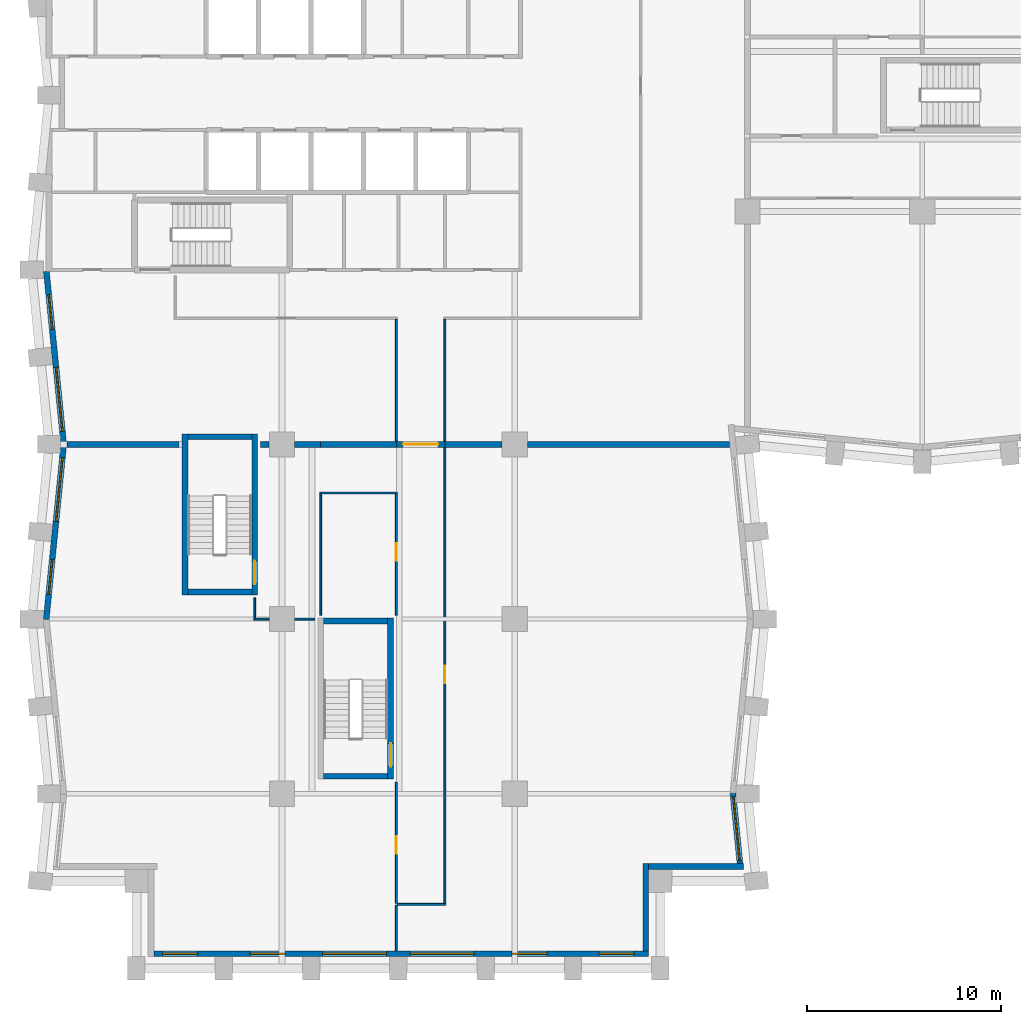
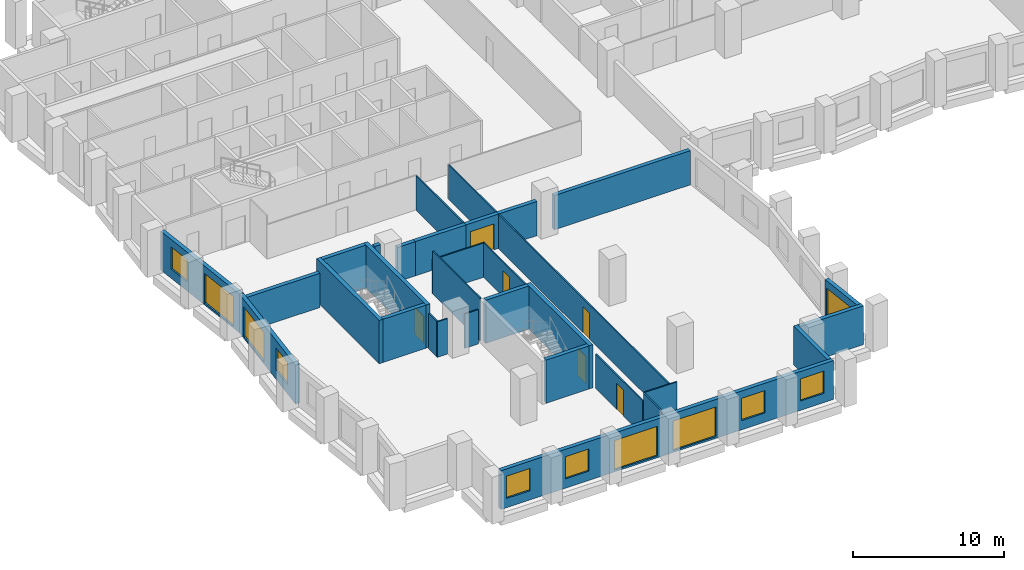
# One storey, part 3 of 11: 32 walls, 11 windows, 6 doors, 17 openings.
"""IFC4 building model written with IfcOpenShell, lengths in metres."""

from ifc_helpers import new_model, si_unit, direction, frame, frame_2d, origin, place, context, subcontext, project, spatial, rectangle, extrude, material, layer, layer_set, type_object, element, fill, save


model = new_model("IFC4")

# Units and contexts
model_context = context("Model", 3, precision=1e-05, world=origin(), true_north=direction((0.0, 1.0)))
body_context = subcontext(model_context, "Body", "Model", "MODEL_VIEW")
ifc_project = project(units=[si_unit("LENGTHUNIT", "METRE"), si_unit("AREAUNIT", "SQUARE_METRE"), si_unit("VOLUMEUNIT", "CUBIC_METRE"), si_unit("PLANEANGLEUNIT", "RADIAN"), si_unit("MASSUNIT", "GRAM", prefix="KILO")], contexts=[model_context])

# Site, building, storey
site_placement = place(None, origin())
site = spatial("IfcSite", under=ifc_project, at=site_placement, CompositionType="ELEMENT")
building_placement = place(site_placement, origin())
building = spatial("IfcBuilding", under=site, at=building_placement, Name="Brondeck Convention Tower", CompositionType="ELEMENT")
storey_placement = place(building_placement, frame((0.0, 0.0, 118.89990234375)))
storey = spatial("IfcBuildingStorey", under=building, at=storey_placement, Name="L28", CompositionType="ELEMENT", Elevation=118.89990234375)

# Walls
ifc_material_1 = material(Name="Concrete compartment wall C30/37", Category="concrete")
ifc_layer_1 = layer(ifc_material_1, 0.300048828125)
ifc_layer_set_1 = layer_set([ifc_layer_1], Name="Compartment wall 300")
wall_type_1 = type_object("IfcWallType", Name="Compartment wall 300", PredefinedType="PARTITIONING", material=ifc_layer_set_1)
wall_1_placement = place(storey_placement, frame((0.924560546875, 27.0, 0.0), z_axis=(0.0, 0.0, 1.0), x_axis=(1.0, 0.0, 0.0)))
element("IfcWall", 1, at=wall_1_placement, inside=storey, type_object=wall_type_1, Name="FLR-L28-W011", PredefinedType="PARTITIONING", context=body_context, shape_type="SweptSolid", body=[
    extrude(rectangle(XDim=5.775390625, YDim=0.300048828125, at=frame_2d((2.8876953125, 0.0))), origin(), (0.0, 0.0, 1.0), 2.780029296875),
])
wall_2_placement = place(storey_placement, frame((10.89990234375, 27.0, 0.0), z_axis=(0.0, 0.0, 1.0), x_axis=(1.0, 0.0, 0.0)))
element("IfcWall", 2, at=wall_2_placement, inside=storey, type_object=wall_type_1, Name="FLR-L28-W012", PredefinedType="PARTITIONING", context=body_context, shape_type="SweptSolid", body=[
    extrude(rectangle(XDim=0.445068359375, YDim=0.300048828125, at=frame_2d((0.22265625, 0.0))), origin(), (0.0, 0.0, 1.0), 3.47998046875),
])
wall_3_placement = place(storey_placement, frame((12.655029296875, 27.0, 0.0), z_axis=(0.0, 0.0, 1.0), x_axis=(1.0, 0.0, 0.0)))
element("IfcWall", 3, at=wall_3_placement, inside=storey, type_object=wall_type_1, Name="FLR-L28-W013", PredefinedType="PARTITIONING", context=body_context, shape_type="SweptSolid", body=[
    extrude(rectangle(XDim=1.344970703125, YDim=0.300048828125, at=frame_2d((0.67236328125, 0.0))), origin(), (0.0, 0.0, 1.0), 2.780029296875),
])
wall_4_placement = place(storey_placement, frame((14.0, 27.0, 0.0), z_axis=(0.0, 0.0, 1.0), x_axis=(1.0, 0.0, 0.0)))
element("IfcWall", 4, at=wall_4_placement, inside=storey, type_object=wall_type_1, Name="FLR-L28-W014", PredefinedType="PARTITIONING", context=body_context, shape_type="SweptSolid", body=[
    extrude(rectangle(XDim=3.89990234375, YDim=0.300048828125, at=frame_2d((1.949951171875, 0.0))), origin(), (0.0, 0.0, 1.0), 2.780029296875),
])

# Wall, opening, door
wall_5_placement = place(storey_placement, frame((20.39990234375, 27.0, 0.0), z_axis=(0.0, 0.0, 1.0), x_axis=(-1.0, 0.0, 0.0)))
wall_5 = element("IfcWall", 5, at=wall_5_placement, inside=storey, type_object=wall_type_1, Name="FLR-L28-W015", PredefinedType="PARTITIONING", context=body_context, shape_type="SweptSolid", body=[
    extrude(rectangle(XDim=2.5, YDim=0.300048828125, at=frame_2d((1.25, 0.0))), origin(), (0.0, 0.0, 1.0), 2.780029296875),
])
opening_1_placement = place(wall_5_placement, frame((0.35009765625, 0.0, 0.0)))
opening_1 = element("IfcOpeningElement", 6, at=opening_1_placement, cuts=wall_5, Name="Opening OF-C-020", PredefinedType="OPENING", context=body_context, shape_type="SweptSolid", body=[
    extrude(rectangle(XDim=1.800048828125, YDim=2.10009765625, at=frame_2d((0.89990234375, 1.050048828125))), frame((0.0, 0.159912109375, 0.0), z_axis=(0.0, -1.0, 0.0), x_axis=(1.0, 0.0, 0.0)), (0.0, 0.0, 1.0), 0.320068359375),
])
ifc_material_2 = material(Name="Steel fire door pair", Category="steel")
door_type_1 = type_object("IfcDoorType", Name="Fire door pair 1800", OperationType="DOUBLE_DOOR_SINGLE_SWING", PredefinedType="DOOR", material=ifc_material_2)
door_1_placement = place(opening_1_placement, origin())
door_1 = element("IfcDoor", 7, at=door_1_placement, inside=storey, type_object=door_type_1, Name="Door OF-C-020", OperationType="DOUBLE_DOOR_SINGLE_SWING", OverallHeight=2.10009765625, OverallWidth=1.800048828125, PredefinedType="DOOR", context=body_context, shape_type="SweptSolid", body=[
    extrude(rectangle(XDim=1.800048828125, YDim=2.10009765625, at=frame_2d((0.89990234375, 1.050048828125))), frame((0.0, 0.02490234375, 0.0), z_axis=(0.0, -1.0, 0.0), x_axis=(1.0, 0.0, 0.0)), (0.0, 0.0, 1.0), 0.050048828125),
])
fill(opening_1, door_1)

# Walls
wall_6_placement = place(storey_placement, frame((20.39990234375, 27.0, 0.0), z_axis=(0.0, 0.0, 1.0), x_axis=(1.0, 0.0, 0.0)))
element("IfcWall", 8, at=wall_6_placement, inside=storey, type_object=wall_type_1, Name="FLR-L28-W016", PredefinedType="PARTITIONING", context=body_context, shape_type="SweptSolid", body=[
    extrude(rectangle(XDim=2.945068359375, YDim=0.300048828125, at=frame_2d((1.47265625, 0.0))), origin(), (0.0, 0.0, 1.0), 2.780029296875),
])
wall_7_placement = place(storey_placement, frame((24.655029296875, 27.0, 0.0), z_axis=(0.0, 0.0, 1.0), x_axis=(1.0, 0.0, 0.0)))
element("IfcWall", 9, at=wall_7_placement, inside=storey, type_object=wall_type_1, Name="FLR-L28-W017", PredefinedType="PARTITIONING", context=body_context, shape_type="SweptSolid", body=[
    extrude(rectangle(XDim=10.42041015625, YDim=0.300048828125, at=frame_2d((5.210205078125, 0.0))), origin(), (0.0, 0.0, 1.0), 2.780029296875),
])

# Wall, openings, windows
ifc_material_3 = material(Name="Precast concrete C50/60 bronze finish", Category="concrete")
ifc_layer_2 = layer(ifc_material_3, 0.070068359375, Name="Bronze precast facing")
ifc_material_4 = material(Name="Mineral wool")
ifc_layer_3 = layer(ifc_material_4, 0.159912109375, Name="Insulation")
ifc_material_5 = material(Name="Concrete C35/45", Category="concrete")
ifc_layer_4 = layer(ifc_material_5, 0.070068359375, Name="Backing")
ifc_layer_set_2 = layer_set([ifc_layer_2, ifc_layer_3, ifc_layer_4], Name="External infill wall, precast concrete C50/60 bronze facing")
wall_type_2 = type_object("IfcWallType", Name="External infill wall, precast concrete C50/60 bronze facing", PredefinedType="SOLIDWALL", material=ifc_layer_set_2)
wall_8_placement = place(storey_placement, frame((30.89990234375, 0.75, 0.0), z_axis=(0.0, 0.0, 1.0), x_axis=(-1.0, 0.0, 0.0)))
wall_8 = element("IfcWall", 10, at=wall_8_placement, inside=storey, type_object=wall_type_2, Name="ENV-EW-L28-P0-B-S0-01", PredefinedType="SOLIDWALL", context=body_context, shape_type="SweptSolid", body=[
    extrude(rectangle(XDim=25.5, YDim=0.300048828125, at=frame_2d((12.75, 0.0))), origin(), (0.0, 0.0, 1.0), 3.150146484375),
])
opening_2_placement = place(wall_8_placement, frame((0.75, 0.0, 0.75)))
opening_2 = element("IfcOpeningElement", 11, at=opening_2_placement, cuts=wall_8, Name="Opening W10", PredefinedType="OPENING", context=body_context, shape_type="SweptSolid", body=[
    extrude(rectangle(XDim=1.800048828125, YDim=1.800048828125, at=frame_2d((0.89990234375, 0.89990234375))), frame((0.0, 0.159912109375, 0.0), z_axis=(0.0, -1.0, 0.0), x_axis=(1.0, 0.0, 0.0)), (0.0, 0.0, 1.0), 0.320068359375),
])
opening_3_placement = place(wall_8_placement, frame((5.25, 0.0, 0.75)))
opening_3 = element("IfcOpeningElement", 12, at=opening_3_placement, cuts=wall_8, Name="Opening W10", PredefinedType="OPENING", context=body_context, shape_type="SweptSolid", body=[
    extrude(rectangle(XDim=1.800048828125, YDim=1.800048828125, at=frame_2d((0.89990234375, 0.89990234375))), frame((0.0, 0.159912109375, 0.0), z_axis=(0.0, -1.0, 0.0), x_axis=(1.0, 0.0, 0.0)), (0.0, 0.0, 1.0), 0.320068359375),
])
opening_4_placement = place(wall_8_placement, frame((9.0, 0.0, 0.14990234375)))
opening_4 = element("IfcOpeningElement", 13, at=opening_4_placement, cuts=wall_8, Name="Opening W9", PredefinedType="OPENING", context=body_context, shape_type="SweptSolid", body=[
    extrude(rectangle(XDim=3.300048828125, YDim=2.39990234375, at=frame_2d((1.64990234375, 1.199951171875))), frame((0.0, 0.159912109375, 0.0), z_axis=(0.0, -1.0, 0.0), x_axis=(1.0, 0.0, 0.0)), (0.0, 0.0, 1.0), 0.320068359375),
])
opening_5_placement = place(wall_8_placement, frame((13.5, 0.0, 0.14990234375)))
opening_5 = element("IfcOpeningElement", 14, at=opening_5_placement, cuts=wall_8, Name="Opening W9", PredefinedType="OPENING", context=body_context, shape_type="SweptSolid", body=[
    extrude(rectangle(XDim=3.300048828125, YDim=2.39990234375, at=frame_2d((1.64990234375, 1.199951171875))), frame((0.0, 0.159912109375, 0.0), z_axis=(0.0, -1.0, 0.0), x_axis=(1.0, 0.0, 0.0)), (0.0, 0.0, 1.0), 0.320068359375),
])
opening_6_placement = place(wall_8_placement, frame((18.75, 0.0, 0.75)))
opening_6 = element("IfcOpeningElement", 15, at=opening_6_placement, cuts=wall_8, Name="Opening W10", PredefinedType="OPENING", context=body_context, shape_type="SweptSolid", body=[
    extrude(rectangle(XDim=1.800048828125, YDim=1.800048828125, at=frame_2d((0.89990234375, 0.89990234375))), frame((0.0, 0.159912109375, 0.0), z_axis=(0.0, -1.0, 0.0), x_axis=(1.0, 0.0, 0.0)), (0.0, 0.0, 1.0), 0.320068359375),
])
opening_7_placement = place(wall_8_placement, frame((23.25, 0.0, 0.75)))
opening_7 = element("IfcOpeningElement", 16, at=opening_7_placement, cuts=wall_8, Name="Opening W10", PredefinedType="OPENING", context=body_context, shape_type="SweptSolid", body=[
    extrude(rectangle(XDim=1.800048828125, YDim=1.800048828125, at=frame_2d((0.89990234375, 0.89990234375))), frame((0.0, 0.159912109375, 0.0), z_axis=(0.0, -1.0, 0.0), x_axis=(1.0, 0.0, 0.0)), (0.0, 0.0, 1.0), 0.320068359375),
])
ifc_material_6 = material(Name="Bronze tinted double glazing", Category="glass")
window_type_1 = type_object("IfcWindowType", Name="Glazed flute window, bronze tinted", PartitioningType="SINGLE_PANEL", PredefinedType="WINDOW", material=ifc_material_6)
window_1_placement = place(opening_4_placement, origin())
window_1 = element("IfcWindow", 17, at=window_1_placement, inside=storey, type_object=window_type_1, Name="ENV-WN-L28-P0-B-S0-04", OverallHeight=2.39990234375, OverallWidth=3.300048828125, PartitioningType="SINGLE_PANEL", PredefinedType="WINDOW", context=body_context, shape_type="SweptSolid", body=[
    extrude(rectangle(XDim=3.300048828125, YDim=2.39990234375, at=frame_2d((1.64990234375, 1.199951171875))), frame((0.0, 0.030029296875, 0.0), z_axis=(0.0, -1.0, 0.0), x_axis=(1.0, 0.0, 0.0)), (0.0, 0.0, 1.0), 0.06005859375),
])
fill(opening_4, window_1)
window_2_placement = place(opening_5_placement, origin())
window_2 = element("IfcWindow", 18, at=window_2_placement, inside=storey, type_object=window_type_1, Name="ENV-WN-L28-P0-B-S0-03", OverallHeight=2.39990234375, OverallWidth=3.300048828125, PartitioningType="SINGLE_PANEL", PredefinedType="WINDOW", context=body_context, shape_type="SweptSolid", body=[
    extrude(rectangle(XDim=3.300048828125, YDim=2.39990234375, at=frame_2d((1.64990234375, 1.199951171875))), frame((0.0, 0.030029296875, 0.0), z_axis=(0.0, -1.0, 0.0), x_axis=(1.0, 0.0, 0.0)), (0.0, 0.0, 1.0), 0.06005859375),
])
fill(opening_5, window_2)
window_type_2 = type_object("IfcWindowType", Name="Punched window, bronze tinted", PartitioningType="SINGLE_PANEL", PredefinedType="WINDOW", material=ifc_material_6)
window_3_placement = place(opening_2_placement, origin())
window_3 = element("IfcWindow", 19, at=window_3_placement, inside=storey, type_object=window_type_2, Name="ENV-WN-L28-P0-B-S0-06", OverallHeight=1.800048828125, OverallWidth=1.800048828125, PartitioningType="SINGLE_PANEL", PredefinedType="WINDOW", context=body_context, shape_type="SweptSolid", body=[
    extrude(rectangle(XDim=1.800048828125, YDim=1.800048828125, at=frame_2d((0.89990234375, 0.89990234375))), frame((0.0, 0.030029296875, 0.0), z_axis=(0.0, -1.0, 0.0), x_axis=(1.0, 0.0, 0.0)), (0.0, 0.0, 1.0), 0.06005859375),
])
fill(opening_2, window_3)
window_4_placement = place(opening_3_placement, origin())
window_4 = element("IfcWindow", 20, at=window_4_placement, inside=storey, type_object=window_type_2, Name="ENV-WN-L28-P0-B-S0-05", OverallHeight=1.800048828125, OverallWidth=1.800048828125, PartitioningType="SINGLE_PANEL", PredefinedType="WINDOW", context=body_context, shape_type="SweptSolid", body=[
    extrude(rectangle(XDim=1.800048828125, YDim=1.800048828125, at=frame_2d((0.89990234375, 0.89990234375))), frame((0.0, 0.030029296875, 0.0), z_axis=(0.0, -1.0, 0.0), x_axis=(1.0, 0.0, 0.0)), (0.0, 0.0, 1.0), 0.06005859375),
])
fill(opening_3, window_4)
window_5_placement = place(opening_6_placement, origin())
window_5 = element("IfcWindow", 21, at=window_5_placement, inside=storey, type_object=window_type_2, Name="ENV-WN-L28-P0-B-S0-02", OverallHeight=1.800048828125, OverallWidth=1.800048828125, PartitioningType="SINGLE_PANEL", PredefinedType="WINDOW", context=body_context, shape_type="SweptSolid", body=[
    extrude(rectangle(XDim=1.800048828125, YDim=1.800048828125, at=frame_2d((0.89990234375, 0.89990234375))), frame((0.0, 0.030029296875, 0.0), z_axis=(0.0, -1.0, 0.0), x_axis=(1.0, 0.0, 0.0)), (0.0, 0.0, 1.0), 0.06005859375),
])
fill(opening_6, window_5)
window_6_placement = place(opening_7_placement, origin())
window_6 = element("IfcWindow", 22, at=window_6_placement, inside=storey, type_object=window_type_2, Name="ENV-WN-L28-P0-B-S0-01", OverallHeight=1.800048828125, OverallWidth=1.800048828125, PartitioningType="SINGLE_PANEL", PredefinedType="WINDOW", context=body_context, shape_type="SweptSolid", body=[
    extrude(rectangle(XDim=1.800048828125, YDim=1.800048828125, at=frame_2d((0.89990234375, 0.89990234375))), frame((0.0, 0.030029296875, 0.0), z_axis=(0.0, -1.0, 0.0), x_axis=(1.0, 0.0, 0.0)), (0.0, 0.0, 1.0), 0.06005859375),
])
fill(opening_7, window_6)

# Walls
wall_9_placement = place(storey_placement, frame((30.75, 5.39990234375, 0.0), z_axis=(0.0, 0.0, 1.0), x_axis=(0.0, -1.0, 0.0)))
element("IfcWall", 23, at=wall_9_placement, inside=storey, type_object=wall_type_2, Name="ENV-EW-L28-P0-NC-SEB0-01", PredefinedType="SOLIDWALL", context=body_context, shape_type="SweptSolid", body=[
    extrude(rectangle(XDim=4.501953125, YDim=0.300048828125, at=frame_2d((2.2509765625, 0.0))), origin(), (0.0, 0.0, 1.0), 3.150146484375),
])
wall_10_placement = place(storey_placement, frame((35.787109375, 5.25, 0.0), z_axis=(0.0, 0.0, 1.0), x_axis=(-1.0, 0.0, 0.0)))
element("IfcWall", 24, at=wall_10_placement, inside=storey, type_object=wall_type_2, Name="ENV-EW-L28-P0-NC-SEB0-02", PredefinedType="SOLIDWALL", context=body_context, shape_type="SweptSolid", body=[
    extrude(rectangle(XDim=4.88720703125, YDim=0.300048828125, at=frame_2d((2.443603515625, 0.0))), origin(), (0.0, 0.0, 1.0), 3.150146484375),
])

# Wall, opening, window
wall_11_placement = place(storey_placement, frame((35.244873046875, 9.014892578125, 0.0), z_axis=(0.0, 0.0, 1.0), x_axis=(0.099470401798, -0.995040521369, 0.0)))
wall_11 = element("IfcWall", 25, at=wall_11_placement, inside=storey, type_object=wall_type_2, Name="ENV-EW-L28-P0-B-E-04", PredefinedType="SOLIDWALL", context=body_context, shape_type="SweptSolid", body=[
    extrude(rectangle(XDim=3.627685546875, YDim=0.300048828125, at=frame_2d((1.81396484375, 0.0))), origin(), (0.0, 0.0, 1.0), 3.150146484375),
])
opening_8_placement = place(wall_11_placement, frame((0.177734375, 0.0, 0.14990234375)))
opening_8 = element("IfcOpeningElement", 26, at=opening_8_placement, cuts=wall_11, Name="Opening W9", PredefinedType="OPENING", context=body_context, shape_type="SweptSolid", body=[
    extrude(rectangle(XDim=3.300048828125, YDim=2.39990234375, at=frame_2d((1.64990234375, 1.199951171875))), frame((0.0, 0.159912109375, 0.0), z_axis=(0.0, -1.0, 0.0), x_axis=(1.0, 0.0, 0.0)), (0.0, 0.0, 1.0), 0.320068359375),
])
window_7_placement = place(opening_8_placement, origin())
window_7 = element("IfcWindow", 27, at=window_7_placement, inside=storey, type_object=window_type_1, Name="ENV-WN-L28-P0-B-E-04", OverallHeight=2.39990234375, OverallWidth=3.300048828125, PartitioningType="SINGLE_PANEL", PredefinedType="WINDOW", context=body_context, shape_type="SweptSolid", body=[
    extrude(rectangle(XDim=3.300048828125, YDim=2.39990234375, at=frame_2d((1.64990234375, 1.199951171875))), frame((0.0, 0.030029296875, 0.0), z_axis=(0.0, -1.0, 0.0), x_axis=(1.0, 0.0, 0.0)), (0.0, 0.0, 1.0), 0.06005859375),
])
fill(opening_8, window_7)

# Wall, openings, windows
wall_12_placement = place(storey_placement, frame((0.755126953125, 26.985107421875, 0.0), z_axis=(0.0, 0.0, 1.0), x_axis=(-0.099479505633, 0.995039611251, 0.0)))
wall_12 = element("IfcWall", 28, at=wall_12_placement, inside=storey, type_object=wall_type_2, Name="ENV-EW-L28-P0-B-W-06", PredefinedType="SOLIDWALL", context=body_context, shape_type="SweptSolid", body=[
    extrude(rectangle(XDim=8.98486328125, YDim=0.300048828125, at=frame_2d((4.492431640625, 0.0))), origin(), (0.0, 0.0, 1.0), 3.150146484375),
])
opening_9_placement = place(wall_12_placement, frame((0.701171875, 0.0, 0.14990234375)))
opening_9 = element("IfcOpeningElement", 29, at=opening_9_placement, cuts=wall_12, Name="Opening W9", PredefinedType="OPENING", context=body_context, shape_type="SweptSolid", body=[
    extrude(rectangle(XDim=3.300048828125, YDim=2.39990234375, at=frame_2d((1.64990234375, 1.199951171875))), frame((0.0, 0.159912109375, 0.0), z_axis=(0.0, -1.0, 0.0), x_axis=(1.0, 0.0, 0.0)), (0.0, 0.0, 1.0), 0.320068359375),
])
opening_10_placement = place(wall_12_placement, frame((5.9736328125, 0.0, 0.75)))
opening_10 = element("IfcOpeningElement", 30, at=opening_10_placement, cuts=wall_12, Name="Opening W10", PredefinedType="OPENING", context=body_context, shape_type="SweptSolid", body=[
    extrude(rectangle(XDim=1.800048828125, YDim=1.800048828125, at=frame_2d((0.89990234375, 0.89990234375))), frame((0.0, 0.159912109375, 0.0), z_axis=(0.0, -1.0, 0.0), x_axis=(1.0, 0.0, 0.0)), (0.0, 0.0, 1.0), 0.320068359375),
])
window_8_placement = place(opening_9_placement, origin())
window_8 = element("IfcWindow", 31, at=window_8_placement, inside=storey, type_object=window_type_1, Name="ENV-WN-L28-P0-B-W-07", OverallHeight=2.39990234375, OverallWidth=3.300048828125, PartitioningType="SINGLE_PANEL", PredefinedType="WINDOW", context=body_context, shape_type="SweptSolid", body=[
    extrude(rectangle(XDim=3.300048828125, YDim=2.39990234375, at=frame_2d((1.64990234375, 1.199951171875))), frame((0.0, 0.030029296875, 0.0), z_axis=(0.0, -1.0, 0.0), x_axis=(1.0, 0.0, 0.0)), (0.0, 0.0, 1.0), 0.06005859375),
])
fill(opening_9, window_8)
window_9_placement = place(opening_10_placement, origin())
window_9 = element("IfcWindow", 32, at=window_9_placement, inside=storey, type_object=window_type_2, Name="ENV-WN-L28-P0-B-W-06", OverallHeight=1.800048828125, OverallWidth=1.800048828125, PartitioningType="SINGLE_PANEL", PredefinedType="WINDOW", context=body_context, shape_type="SweptSolid", body=[
    extrude(rectangle(XDim=1.800048828125, YDim=1.800048828125, at=frame_2d((0.89990234375, 0.89990234375))), frame((0.0, 0.030029296875, 0.0), z_axis=(0.0, -1.0, 0.0), x_axis=(1.0, 0.0, 0.0)), (0.0, 0.0, 1.0), 0.06005859375),
])
fill(opening_10, window_9)

wall_13_placement = place(storey_placement, frame((-0.147705078125, 17.985107421875, 0.0), z_axis=(0.0, 0.0, 1.0), x_axis=(0.099495688264, 0.995037993253, 0.0)))
wall_13 = element("IfcWall", 33, at=wall_13_placement, inside=storey, type_object=wall_type_2, Name="ENV-EW-L28-P0-B-W-08", PredefinedType="SOLIDWALL", context=body_context, shape_type="SweptSolid", body=[
    extrude(rectangle(XDim=9.030029296875, YDim=0.300048828125, at=frame_2d((4.51513671875, 0.0))), origin(), (0.0, 0.0, 1.0), 3.150146484375),
])
opening_11_placement = place(wall_13_placement, frame((1.30126953125, 0.0, 0.75)))
opening_11 = element("IfcOpeningElement", 34, at=opening_11_placement, cuts=wall_13, Name="Opening W10", PredefinedType="OPENING", context=body_context, shape_type="SweptSolid", body=[
    extrude(rectangle(XDim=1.800048828125, YDim=1.800048828125, at=frame_2d((0.89990234375, 0.89990234375))), frame((0.0, 0.159912109375, 0.0), z_axis=(0.0, -1.0, 0.0), x_axis=(1.0, 0.0, 0.0)), (0.0, 0.0, 1.0), 0.320068359375),
])
opening_12_placement = place(wall_13_placement, frame((5.073486328125, 0.0, 0.14990234375)))
opening_12 = element("IfcOpeningElement", 35, at=opening_12_placement, cuts=wall_13, Name="Opening W9", PredefinedType="OPENING", context=body_context, shape_type="SweptSolid", body=[
    extrude(rectangle(XDim=3.300048828125, YDim=2.39990234375, at=frame_2d((1.64990234375, 1.199951171875))), frame((0.0, 0.159912109375, 0.0), z_axis=(0.0, -1.0, 0.0), x_axis=(1.0, 0.0, 0.0)), (0.0, 0.0, 1.0), 0.320068359375),
])
window_10_placement = place(opening_12_placement, origin())
window_10 = element("IfcWindow", 36, at=window_10_placement, inside=storey, type_object=window_type_1, Name="ENV-WN-L28-P0-B-W-08", OverallHeight=2.39990234375, OverallWidth=3.300048828125, PartitioningType="SINGLE_PANEL", PredefinedType="WINDOW", context=body_context, shape_type="SweptSolid", body=[
    extrude(rectangle(XDim=3.300048828125, YDim=2.39990234375, at=frame_2d((1.64990234375, 1.199951171875))), frame((0.0, 0.030029296875, 0.0), z_axis=(0.0, -1.0, 0.0), x_axis=(1.0, 0.0, 0.0)), (0.0, 0.0, 1.0), 0.06005859375),
])
fill(opening_12, window_10)
window_11_placement = place(opening_11_placement, origin())
window_11 = element("IfcWindow", 37, at=window_11_placement, inside=storey, type_object=window_type_2, Name="ENV-WN-L28-P0-B-W-09", OverallHeight=1.800048828125, OverallWidth=1.800048828125, PartitioningType="SINGLE_PANEL", PredefinedType="WINDOW", context=body_context, shape_type="SweptSolid", body=[
    extrude(rectangle(XDim=1.800048828125, YDim=1.800048828125, at=frame_2d((0.89990234375, 0.89990234375))), frame((0.0, 0.030029296875, 0.0), z_axis=(0.0, -1.0, 0.0), x_axis=(1.0, 0.0, 0.0)), (0.0, 0.0, 1.0), 0.06005859375),
])
fill(opening_11, window_11)

# Walls
ifc_material_7 = material(Name="Gypsum board partition on steel studs", Category="steel")
ifc_layer_5 = layer(ifc_material_7, 0.10009765625)
ifc_layer_set_3 = layer_set([ifc_layer_5], Name="Room partition 100")
wall_type_3 = type_object("IfcWallType", Name="Room partition 100", PredefinedType="PARTITIONING", material=ifc_layer_set_3)
wall_14_placement = place(storey_placement, frame((17.89990234375, 0.919921875, 0.0), z_axis=(0.0, 0.0, 1.0), x_axis=(0.0, 1.0, 0.0)))
element("IfcWall", 38, at=wall_14_placement, inside=storey, type_object=wall_type_3, Name="FLR-L28-W001", PredefinedType="PARTITIONING", context=body_context, shape_type="SweptSolid", body=[
    extrude(rectangle(XDim=2.330078125, YDim=0.10009765625, at=frame_2d((1.1650390625, 0.0))), origin(), (0.0, 0.0, 1.0), 3.47998046875),
])
wall_15_placement = place(storey_placement, frame((20.449951171875, 3.300048828125, 0.0), z_axis=(0.0, 0.0, 1.0), x_axis=(-1.0, 0.0, 0.0)))
element("IfcWall", 39, at=wall_15_placement, inside=storey, type_object=wall_type_3, Name="FLR-L28-W002", PredefinedType="PARTITIONING", context=body_context, shape_type="SweptSolid", body=[
    extrude(rectangle(XDim=2.5, YDim=0.10009765625, at=frame_2d((1.25, 0.0))), origin(), (0.0, 0.0, 1.0), 3.47998046875),
])

# Wall, opening, door
wall_16_placement = place(storey_placement, frame((17.89990234375, 3.35009765625, 0.0), z_axis=(0.0, 0.0, 1.0), x_axis=(0.0, 1.0, 0.0)))
wall_16 = element("IfcWall", 40, at=wall_16_placement, inside=storey, type_object=wall_type_3, Name="FLR-L28-W003", PredefinedType="PARTITIONING", context=body_context, shape_type="SweptSolid", body=[
    extrude(rectangle(XDim=6.25, YDim=0.10009765625, at=frame_2d((3.125, 0.0))), origin(), (0.0, 0.0, 1.0), 2.780029296875),
])
opening_13_placement = place(wall_16_placement, frame((2.550048828125, 0.0, 0.0)))
opening_13 = element("IfcOpeningElement", 41, at=opening_13_placement, cuts=wall_16, Name="Opening OF-C-017", PredefinedType="OPENING", context=body_context, shape_type="SweptSolid", body=[
    extrude(rectangle(XDim=0.89990234375, YDim=2.10009765625, at=frame_2d((0.449951171875, 1.050048828125))), frame((0.0, 0.06005859375, 0.0), z_axis=(0.0, -1.0, 0.0), x_axis=(1.0, 0.0, 0.0)), (0.0, 0.0, 1.0), 0.1201171875),
])
ifc_material_8 = material(Name="Solid timber door leaf", Category="wood")
door_type_2 = type_object("IfcDoorType", Name="Single door 900", OperationType="NOTDEFINED", PredefinedType="DOOR", material=ifc_material_8)
door_2_placement = place(opening_13_placement, origin())
door_2 = element("IfcDoor", 42, at=door_2_placement, inside=storey, type_object=door_type_2, Name="Door OF-C-017", OperationType="SINGLE_SWING_LEFT", OverallHeight=2.10009765625, OverallWidth=0.89990234375, PredefinedType="DOOR", context=body_context, shape_type="SweptSolid", body=[
    extrude(rectangle(XDim=0.89990234375, YDim=2.10009765625, at=frame_2d((0.449951171875, 1.050048828125))), frame((0.0, 0.02490234375, 0.0), z_axis=(0.0, -1.0, 0.0), x_axis=(1.0, 0.0, 0.0)), (0.0, 0.0, 1.0), 0.050048828125),
])
fill(opening_13, door_2)

# Walls
wall_17_placement = place(storey_placement, frame((11.344970703125, 18.0, 0.0), z_axis=(0.0, 0.0, 1.0), x_axis=(-1.0, 0.0, 0.0)))
element("IfcWall", 43, at=wall_17_placement, inside=storey, type_object=wall_type_3, Name="FLR-L28-W004", PredefinedType="PARTITIONING", context=body_context, shape_type="SweptSolid", body=[
    extrude(rectangle(XDim=0.794921875, YDim=0.10009765625, at=frame_2d((0.3974609375, 0.0))), origin(), (0.0, 0.0, 1.0), 2.880126953125),
])
wall_18_placement = place(storey_placement, frame((13.699951171875, 18.0, 0.0), z_axis=(0.0, 0.0, 1.0), x_axis=(-1.0, 0.0, 0.0)))
element("IfcWall", 44, at=wall_18_placement, inside=storey, type_object=wall_type_3, Name="FLR-L28-W005", PredefinedType="PARTITIONING", context=body_context, shape_type="SweptSolid", body=[
    extrude(rectangle(XDim=1.044921875, YDim=0.10009765625, at=frame_2d((0.5224609375, 0.0))), origin(), (0.0, 0.0, 1.0), 2.780029296875),
])
wall_19_placement = place(storey_placement, frame((10.60009765625, 18.050048828125, 0.0), z_axis=(0.0, 0.0, 1.0), x_axis=(0.0, 1.0, 0.0)))
element("IfcWall", 45, at=wall_19_placement, inside=storey, type_object=wall_type_3, Name="FLR-L28-W006", PredefinedType="PARTITIONING", context=body_context, shape_type="SweptSolid", body=[
    extrude(rectangle(XDim=1.050048828125, YDim=0.10009765625, at=frame_2d((0.52490234375, 0.0))), origin(), (0.0, 0.0, 1.0), 2.880126953125),
])

# Wall, opening, door
wall_20_placement = place(storey_placement, frame((17.89990234375, 18.199951171875, 0.0), z_axis=(0.0, 0.0, 1.0), x_axis=(0.0, 1.0, 0.0)))
wall_20 = element("IfcWall", 46, at=wall_20_placement, inside=storey, type_object=wall_type_3, Name="FLR-L28-W007", PredefinedType="PARTITIONING", context=body_context, shape_type="SweptSolid", body=[
    extrude(rectangle(XDim=6.25, YDim=0.10009765625, at=frame_2d((3.125, 0.0))), origin(), (0.0, 0.0, 1.0), 2.780029296875),
])
opening_14_placement = place(wall_20_placement, frame((2.800048828125, 0.0, 0.0)))
opening_14 = element("IfcOpeningElement", 47, at=opening_14_placement, cuts=wall_20, Name="Opening OF-C-001", PredefinedType="OPENING", context=body_context, shape_type="SweptSolid", body=[
    extrude(rectangle(XDim=0.89990234375, YDim=2.10009765625, at=frame_2d((0.449951171875, 1.050048828125))), frame((0.0, 0.06005859375, 0.0), z_axis=(0.0, -1.0, 0.0), x_axis=(1.0, 0.0, 0.0)), (0.0, 0.0, 1.0), 0.1201171875),
])
door_3_placement = place(opening_14_placement, origin())
door_3 = element("IfcDoor", 48, at=door_3_placement, inside=storey, type_object=door_type_2, Name="Door OF-C-001", OperationType="SINGLE_SWING_LEFT", OverallHeight=2.10009765625, OverallWidth=0.89990234375, PredefinedType="DOOR", context=body_context, shape_type="SweptSolid", body=[
    extrude(rectangle(XDim=0.89990234375, YDim=2.10009765625, at=frame_2d((0.449951171875, 1.050048828125))), frame((0.0, 0.02490234375, 0.0), z_axis=(0.0, -1.0, 0.0), x_axis=(1.0, 0.0, 0.0)), (0.0, 0.0, 1.0), 0.050048828125),
])
fill(opening_14, door_3)

# Walls
wall_21_placement = place(storey_placement, frame((14.0, 24.449951171875, 0.0), z_axis=(0.0, 0.0, 1.0), x_axis=(0.0, -1.0, 0.0)))
element("IfcWall", 49, at=wall_21_placement, inside=storey, type_object=wall_type_3, Name="FLR-L28-W008", PredefinedType="PARTITIONING", context=body_context, shape_type="SweptSolid", body=[
    extrude(rectangle(XDim=6.25, YDim=0.10009765625, at=frame_2d((3.125, 0.0))), origin(), (0.0, 0.0, 1.0), 3.47998046875),
])
wall_22_placement = place(storey_placement, frame((17.949951171875, 24.5, 0.0), z_axis=(0.0, 0.0, 1.0), x_axis=(-1.0, 0.0, 0.0)))
element("IfcWall", 50, at=wall_22_placement, inside=storey, type_object=wall_type_3, Name="FLR-L28-W009", PredefinedType="PARTITIONING", context=body_context, shape_type="SweptSolid", body=[
    extrude(rectangle(XDim=4.0, YDim=0.10009765625, at=frame_2d((2.0, 0.0))), origin(), (0.0, 0.0, 1.0), 2.780029296875),
])

# Wall, opening, door
wall_23_placement = place(storey_placement, frame((20.39990234375, 26.830078125, 0.0), z_axis=(0.0, 0.0, 1.0), x_axis=(0.0, -1.0, 0.0)))
wall_23 = element("IfcWall", 51, at=wall_23_placement, inside=storey, type_object=wall_type_3, Name="FLR-L28-W010", PredefinedType="PARTITIONING", context=body_context, shape_type="SweptSolid", body=[
    extrude(rectangle(XDim=23.47998046875, YDim=0.10009765625, at=frame_2d((11.739990234375, 0.0))), origin(), (0.0, 0.0, 1.0), 2.780029296875),
])
opening_15_placement = place(wall_23_placement, frame((11.22998046875, 0.0, 0.0)))
opening_15 = element("IfcOpeningElement", 52, at=opening_15_placement, cuts=wall_23, Name="Opening OF-C-016", PredefinedType="OPENING", context=body_context, shape_type="SweptSolid", body=[
    extrude(rectangle(XDim=0.89990234375, YDim=2.10009765625, at=frame_2d((0.449951171875, 1.050048828125))), frame((0.0, 0.06005859375, 0.0), z_axis=(0.0, -1.0, 0.0), x_axis=(1.0, 0.0, 0.0)), (0.0, 0.0, 1.0), 0.1201171875),
])
door_4_placement = place(opening_15_placement, origin())
door_4 = element("IfcDoor", 53, at=door_4_placement, inside=storey, type_object=door_type_2, Name="Door OF-C-016", OperationType="SINGLE_SWING_LEFT", OverallHeight=2.10009765625, OverallWidth=0.89990234375, PredefinedType="DOOR", context=body_context, shape_type="SweptSolid", body=[
    extrude(rectangle(XDim=0.89990234375, YDim=2.10009765625, at=frame_2d((0.449951171875, 1.050048828125))), frame((0.0, 0.02490234375, 0.0), z_axis=(0.0, -1.0, 0.0), x_axis=(1.0, 0.0, 0.0)), (0.0, 0.0, 1.0), 0.050048828125),
])
fill(opening_15, door_4)

# Walls
for number, where, z_axis, x_axis, name in (
    (54, (17.89990234375, 27.169921875, 0.0), (0.0, 0.0, 1.0), (0.0, 1.0, 0.0), "FLR-L28-W018"),
    (55, (20.39990234375, 33.449951171875, 0.0), (0.0, 0.0, 1.0), (0.0, -1.0, 0.0), "FLR-L28-W020"),
):
    element("IfcWall", number, at=place(storey_placement, frame(where, z_axis=z_axis, x_axis=x_axis)), inside=storey, type_object=wall_type_3, Name=name, PredefinedType="PARTITIONING", context=body_context, shape_type="SweptSolid", body=[
        extrude(rectangle(XDim=6.280029296875, YDim=0.10009765625, at=frame_2d((3.14013671875, 0.0))), origin(), (0.0, 0.0, 1.0), 2.780029296875),
    ])
ifc_material_9 = material(Name="Concrete C70/85", Category="concrete")
ifc_layer_6 = layer(ifc_material_9, 0.300048828125)
ifc_layer_set_4 = layer_set([ifc_layer_6], Name="Stair enclosure wall 300 Concrete C70/85")
wall_type_4 = type_object("IfcWallType", Name="Stair enclosure wall 300 Concrete C70/85", PredefinedType="SHEAR", material=ifc_layer_set_4)
for number, where, z_axis, x_axis, name in (
    (56, (14.14990234375, 9.89990234375, 0.0), (0.0, 0.0, 1.0), (1.0, 0.0, 0.0), "L28 core wall"),
    (57, (14.14990234375, 17.89990234375, 0.0), (0.0, 0.0, 1.0), (1.0, 0.0, 0.0), "L28 core wall"),
    (58, (7.14990234375, 19.39990234375, 0.0), (0.0, 0.0, 1.0), (1.0, 0.0, 0.0), "L28 core wall"),
    (59, (7.14990234375, 27.39990234375, 0.0), (0.0, 0.0, 1.0), (1.0, 0.0, 0.0), "L28 core wall"),
):
    element("IfcWall", number, at=place(storey_placement, frame(where, z_axis=z_axis, x_axis=x_axis)), inside=storey, type_object=wall_type_4, Name=name, PredefinedType="SHEAR", context=body_context, shape_type="SweptSolid", body=[
        extrude(rectangle(XDim=3.300048828125, YDim=0.300048828125, at=frame_2d((1.64990234375, 0.0))), origin(), (0.0, 0.0, 1.0), 3.5),
    ])
wall_24_placement = place(storey_placement, frame((7.0, 19.25, 0.0), z_axis=(0.0, 0.0, 1.0), x_axis=(0.0, 1.0, 0.0)))
element("IfcWall", 60, at=wall_24_placement, inside=storey, type_object=wall_type_4, Name="L28 core wall", PredefinedType="SHEAR", context=body_context, shape_type="SweptSolid", body=[
    extrude(rectangle(XDim=8.300048828125, YDim=0.300048828125, at=frame_2d((4.14990234375, 0.0))), origin(), (0.0, 0.0, 1.0), 3.5),
])

# Wall, opening, door
wall_25_placement = place(storey_placement, frame((10.60009765625, 19.25, 0.0), z_axis=(0.0, 0.0, 1.0), x_axis=(0.0, 1.0, 0.0)))
wall_25 = element("IfcWall", 61, at=wall_25_placement, inside=storey, type_object=wall_type_4, Name="L28 core wall", PredefinedType="SHEAR", context=body_context, shape_type="SweptSolid", body=[
    extrude(rectangle(XDim=8.300048828125, YDim=0.300048828125, at=frame_2d((4.14990234375, 0.0))), origin(), (0.0, 0.0, 1.0), 3.5),
])
opening_16_placement = place(wall_25_placement, frame((0.550048828125, 0.0, 0.0)))
opening_16 = element("IfcOpeningElement", 62, at=opening_16_placement, cuts=wall_25, Name="Opening C16-22", PredefinedType="OPENING", context=body_context, shape_type="SweptSolid", body=[
    extrude(rectangle(XDim=1.199951171875, YDim=2.199951171875, at=frame_2d((0.60009765625, 1.10009765625))), frame((0.0, 0.159912109375, 0.0), z_axis=(0.0, -1.0, 0.0), x_axis=(1.0, 0.0, 0.0)), (0.0, 0.0, 1.0), 0.320068359375),
])
ifc_material_10 = material(Name="Steel fire door", Category="steel")
door_type_3 = type_object("IfcDoorType", Name="Stair door 1200x2200 EI 90", OperationType="NOTDEFINED", PredefinedType="DOOR", material=ifc_material_10)
door_5_placement = place(opening_16_placement, origin())
door_5 = element("IfcDoor", 63, at=door_5_placement, inside=storey, type_object=door_type_3, Name="L28 Stair door ST-BE", OperationType="SINGLE_SWING_RIGHT", OverallHeight=2.199951171875, OverallWidth=1.199951171875, PredefinedType="DOOR", context=body_context, shape_type="SweptSolid", body=[
    extrude(rectangle(XDim=1.199951171875, YDim=2.199951171875, at=frame_2d((0.60009765625, 1.10009765625))), frame((0.0, 0.02490234375, 0.0), z_axis=(0.0, -1.0, 0.0), x_axis=(1.0, 0.0, 0.0)), (0.0, 0.0, 1.0), 0.050048828125),
])
fill(opening_16, door_5)

wall_26_placement = place(storey_placement, frame((17.60009765625, 9.75, 0.0), z_axis=(0.0, 0.0, 1.0), x_axis=(0.0, 1.0, 0.0)))
wall_26 = element("IfcWall", 64, at=wall_26_placement, inside=storey, type_object=wall_type_4, Name="L28 core wall", PredefinedType="SHEAR", context=body_context, shape_type="SweptSolid", body=[
    extrude(rectangle(XDim=8.300048828125, YDim=0.300048828125, at=frame_2d((4.14990234375, 0.0))), origin(), (0.0, 0.0, 1.0), 3.5),
])
opening_17_placement = place(wall_26_placement, frame((0.64990234375, 0.0, 0.0)))
opening_17 = element("IfcOpeningElement", 65, at=opening_17_placement, cuts=wall_26, Name="Opening C16-23", PredefinedType="OPENING", context=body_context, shape_type="SweptSolid", body=[
    extrude(rectangle(XDim=1.199951171875, YDim=2.199951171875, at=frame_2d((0.60009765625, 1.10009765625))), frame((0.0, 0.159912109375, 0.0), z_axis=(0.0, -1.0, 0.0), x_axis=(1.0, 0.0, 0.0)), (0.0, 0.0, 1.0), 0.320068359375),
])
door_6_placement = place(opening_17_placement, origin())
door_6 = element("IfcDoor", 66, at=door_6_placement, inside=storey, type_object=door_type_3, Name="L28 Stair door ST-BF", OperationType="SINGLE_SWING_LEFT", OverallHeight=2.199951171875, OverallWidth=1.199951171875, PredefinedType="DOOR", context=body_context, shape_type="SweptSolid", body=[
    extrude(rectangle(XDim=1.199951171875, YDim=2.199951171875, at=frame_2d((0.60009765625, 1.10009765625))), frame((0.0, 0.02490234375, 0.0), z_axis=(0.0, -1.0, 0.0), x_axis=(1.0, 0.0, 0.0)), (0.0, 0.0, 1.0), 0.050048828125),
])
fill(opening_17, door_6)

save(model, "model.ifc")
